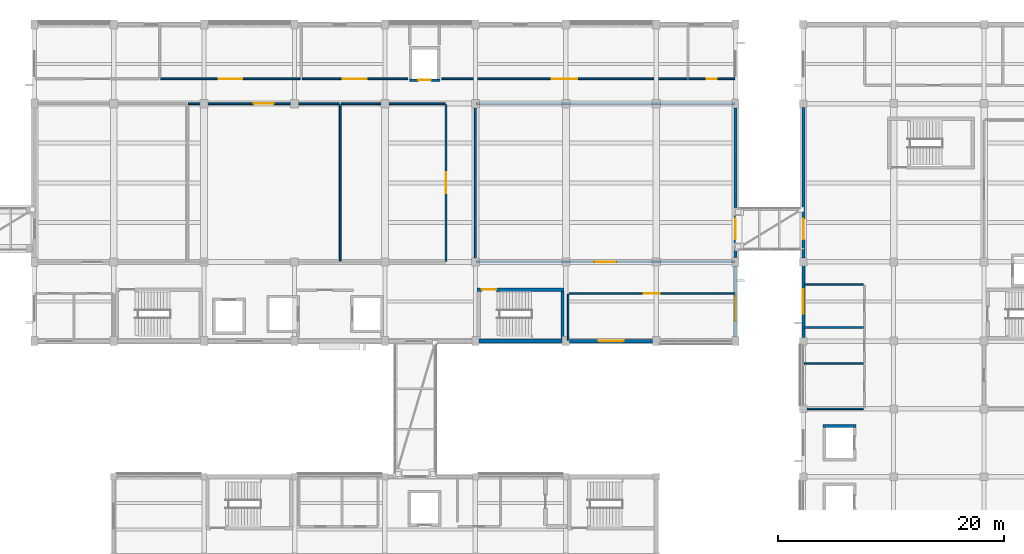
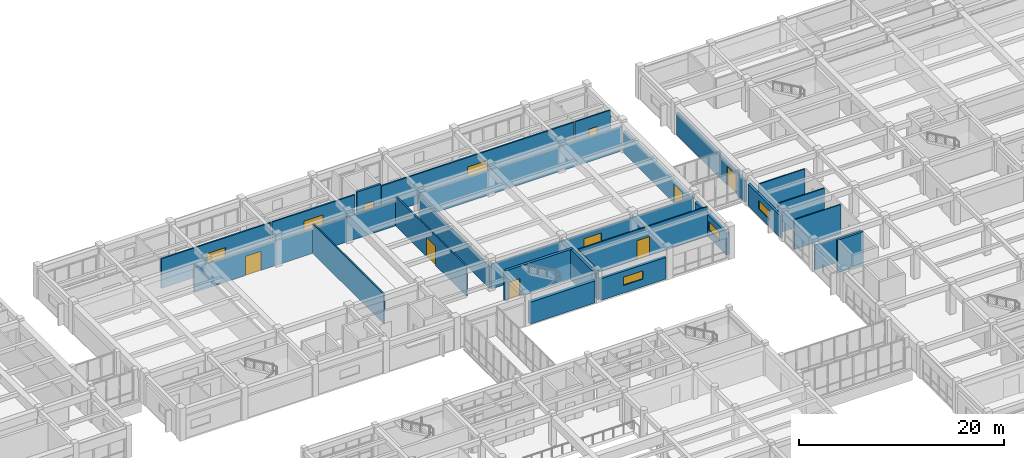
# One storey, part 50 of 66: 27 walls, 12 doors, 3 windows, 15 openings.
"""IFC4 building model written with IfcOpenShell, lengths in metres."""

from ifc_helpers import new_model, si_unit, direction, frame, frame_2d, origin, place, context, subcontext, project, spatial, rectangle, extrude, material, layer, layer_set, type_object, element, fill, save


model = new_model("IFC4")

# Units and contexts
model_context = context("Model", 3, precision=1e-05, world=origin(), true_north=direction((0.0, 1.0)))
body_context = subcontext(model_context, "Body", "Model", "MODEL_VIEW")
ifc_project = project(units=[si_unit("LENGTHUNIT", "METRE"), si_unit("AREAUNIT", "SQUARE_METRE"), si_unit("VOLUMEUNIT", "CUBIC_METRE"), si_unit("PLANEANGLEUNIT", "RADIAN"), si_unit("MASSUNIT", "GRAM", prefix="KILO")], contexts=[model_context])

# Site, building, storey
site_placement = place(None, origin())
site = spatial("IfcSite", under=ifc_project, at=site_placement, CompositionType="ELEMENT")
building_placement = place(site_placement, origin())
building = spatial("IfcBuilding", under=site, at=building_placement, Name="Naurynzar Civic Courthouse", CompositionType="ELEMENT")
storey_placement = place(building_placement, frame((0.0, 0.0, 14.39990234375)))
storey = spatial("IfcBuildingStorey", under=building, at=storey_placement, Name="L04", CompositionType="ELEMENT", Elevation=14.39990234375)

# Wall, opening, door
ifc_material_1 = material(Name="Acoustic Double-Stud Gypsum Partition")
ifc_layer_1 = layer(ifc_material_1, 0.155029296875)
ifc_layer_set_1 = layer_set([ifc_layer_1], Name="WL-ACOUSTIC-155")
wall_type_1 = type_object("IfcWallType", Name="WL-ACOUSTIC-155", PredefinedType="PARTITIONING", material=ifc_layer_set_1)
wall_1_placement = place(storey_placement, frame((75.60009765625, 65.0, 0.0), z_axis=(0.0, 0.0, 1.0), x_axis=(1.0, 0.0, 0.0)))
wall_1 = element("IfcWall", 1, at=wall_1_placement, inside=storey, type_object=wall_type_1, Name="V2 interior partition L04.497", PredefinedType="PARTITIONING", context=body_context, shape_type="SweptSolid", body=[
    extrude(rectangle(XDim=13.35986328125, YDim=0.155029296875, at=frame_2d((6.679931640625, 0.0))), origin(), (0.0, 0.0, 1.0), 2.93017578125),
])
opening_1_placement = place(wall_1_placement, frame((5.804931640625, 0.0, 0.0)))
opening_1 = element("IfcOpeningElement", 2, at=opening_1_placement, cuts=wall_1, Name="Opening D-143", PredefinedType="OPENING", context=body_context, shape_type="SweptSolid", body=[
    extrude(rectangle(XDim=1.75, YDim=2.300048828125, at=frame_2d((0.875, 1.14990234375))), frame((0.0, 0.08740234375, 0.0), z_axis=(0.0, -1.0, 0.0), x_axis=(1.0, 0.0, 0.0)), (0.0, 0.0, 1.0), 0.175048828125),
])
ifc_material_2 = material(Name="Acoustic Oak Timber Grade A", Category="wood")
door_type_1 = type_object("IfcDoorType", Name="DR-SUITE-1750x2300", OperationType="DOUBLE_DOOR_SINGLE_SWING", PredefinedType="DOOR", material=ifc_material_2)
door_1_placement = place(opening_1_placement, origin())
door_1 = element("IfcDoor", 3, at=door_1_placement, inside=storey, type_object=door_type_1, Name="Interior door D-143 (Commercial Courtroom 4B)", OperationType="DOUBLE_DOOR_SINGLE_SWING", OverallHeight=2.300048828125, OverallWidth=1.75, PredefinedType="DOOR", context=body_context, shape_type="SweptSolid", body=[
    extrude(rectangle(XDim=1.75, YDim=2.300048828125, at=frame_2d((0.875, 1.14990234375))), frame((0.0, 0.02490234375, 0.0), z_axis=(0.0, -1.0, 0.0), x_axis=(1.0, 0.0, 0.0)), (0.0, 0.0, 1.0), 0.050048828125),
])
fill(opening_1, door_1)

# Wall
wall_2_placement = place(storey_placement, frame((89.0400390625, 51.080078125, 0.0), z_axis=(0.0, 0.0, 1.0), x_axis=(0.0, 1.0, 0.0)))
element("IfcWall", 4, at=wall_2_placement, inside=storey, type_object=wall_type_1, Name="V2 interior partition L04.538", PredefinedType="PARTITIONING", context=body_context, shape_type="SweptSolid", body=[
    extrude(rectangle(XDim=13.83984375, YDim=0.155029296875, at=frame_2d((6.919921875, 0.0))), origin(), (0.0, 0.0, 1.0), 3.5400390625),
])

# Wall, opening, door
ifc_material_3 = material(Name="Acoustic Double-Stud Gypsum Partition")
ifc_layer_2 = layer(ifc_material_3, 0.169921875)
ifc_layer_set_2 = layer_set([ifc_layer_2], Name="WL-ACOUSTIC-170")
wall_type_2 = type_object("IfcWallType", Name="WL-ACOUSTIC-170", PredefinedType="PARTITIONING", material=ifc_layer_set_2)
wall_3_placement = place(storey_placement, frame((101.080078125, 51.0, 0.0), z_axis=(0.0, 0.0, 1.0), x_axis=(1.0, 0.0, 0.0)))
wall_3 = element("IfcWall", 5, at=wall_3_placement, inside=storey, type_object=wall_type_2, Name="V2 interior partition L04.488", PredefinedType="PARTITIONING", context=body_context, shape_type="SweptSolid", body=[
    extrude(rectangle(XDim=22.83984375, YDim=0.169921875, at=frame_2d((11.419921875, 0.0))), origin(), (0.0, 0.0, 1.0), 2.93017578125),
])
opening_2_placement = place(wall_3_placement, frame((10.445068359375, 0.0, 0.0)))
opening_2 = element("IfcOpeningElement", 6, at=opening_2_placement, cuts=wall_3, Name="Opening D-145", PredefinedType="OPENING", context=body_context, shape_type="SweptSolid", body=[
    extrude(rectangle(XDim=1.949951171875, YDim=2.35009765625, at=frame_2d((0.97509765625, 1.175048828125))), frame((0.0, 0.094970703125, 0.0), z_axis=(0.0, -1.0, 0.0), x_axis=(1.0, 0.0, 0.0)), (0.0, 0.0, 1.0), 0.18994140625),
])
ifc_material_4 = material(Name="Acoustic Oak Timber Grade A", Category="wood")
door_type_2 = type_object("IfcDoorType", Name="DR-SUITE-1950x2350", OperationType="DOUBLE_DOOR_SINGLE_SWING", PredefinedType="DOOR", material=ifc_material_4)
door_2_placement = place(opening_2_placement, origin())
door_2 = element("IfcDoor", 7, at=door_2_placement, inside=storey, type_object=door_type_2, Name="Interior door D-145 (Civil Chamber Courtroom L04-E)", OperationType="DOUBLE_DOOR_SINGLE_SWING", OverallHeight=2.35009765625, OverallWidth=1.949951171875, PredefinedType="DOOR", context=body_context, shape_type="SweptSolid", body=[
    extrude(rectangle(XDim=1.949951171875, YDim=2.35009765625, at=frame_2d((0.97509765625, 1.175048828125))), frame((0.0, 0.02490234375, 0.0), z_axis=(0.0, -1.0, 0.0), x_axis=(1.0, 0.0, 0.0)), (0.0, 0.0, 1.0), 0.050048828125),
])
fill(opening_2, door_2)

# Walls
wall_4_placement = place(storey_placement, frame((101.080078125, 65.0, 0.0), z_axis=(0.0, 0.0, 1.0), x_axis=(1.0, 0.0, 0.0)))
element("IfcWall", 8, at=wall_4_placement, inside=storey, type_object=wall_type_2, Name="V2 interior partition L04.499", PredefinedType="PARTITIONING", context=body_context, shape_type="SweptSolid", body=[
    extrude(rectangle(XDim=22.83984375, YDim=0.169921875, at=frame_2d((11.419921875, 0.0))), origin(), (0.0, 0.0, 1.0), 2.93017578125),
])
wall_5_placement = place(storey_placement, frame((101.0, 51.080078125, 0.0), z_axis=(0.0, 0.0, 1.0), x_axis=(0.0, 1.0, 0.0)))
element("IfcWall", 9, at=wall_5_placement, inside=storey, type_object=wall_type_2, Name="V2 interior partition L04.547", PredefinedType="PARTITIONING", context=body_context, shape_type="SweptSolid", body=[
    extrude(rectangle(XDim=13.83984375, YDim=0.169921875, at=frame_2d((6.919921875, 0.0))), origin(), (0.0, 0.0, 1.0), 2.630126953125),
])

# Wall, opening, door
ifc_material_5 = material(Name="Concrete C40/50", Category="concrete")
ifc_layer_3 = layer(ifc_material_5, 0.300048828125)
ifc_layer_set_3 = layer_set([ifc_layer_3], Name="WL-CORE-300")
wall_type_3 = type_object("IfcWallType", Name="WL-CORE-300", PredefinedType="SHEAR", material=ifc_layer_set_3)
wall_6_placement = place(storey_placement, frame((108.85009765625, 48.550048828125, 0.0), z_axis=(0.0, 0.0, 1.0), x_axis=(-1.0, 0.0, 0.0)))
wall_6 = element("IfcWall", 10, at=wall_6_placement, inside=storey, type_object=wall_type_3, Name="Stair ST-V2B enclosure wall north L04", PredefinedType="SHEAR", context=body_context, shape_type="SweptSolid", body=[
    extrude(rectangle(XDim=7.7001953125, YDim=0.300048828125, at=frame_2d((3.85009765625, 0.0))), origin(), (0.0, 0.0, 1.0), 3.6201171875),
])
opening_3_placement = place(wall_6_placement, frame((6.02490234375, 0.0, 0.0)))
opening_3 = element("IfcOpeningElement", 11, at=opening_3_placement, cuts=wall_6, Name="Opening SD-038", PredefinedType="OPENING", context=body_context, shape_type="SweptSolid", body=[
    extrude(rectangle(XDim=1.25, YDim=2.14990234375, at=frame_2d((0.625, 1.074951171875))), frame((0.0, 0.159912109375, 0.0), z_axis=(0.0, -1.0, 0.0), x_axis=(1.0, 0.0, 0.0)), (0.0, 0.0, 1.0), 0.320068359375),
])
ifc_material_6 = material(Name="Powder-Coated Galvanised Steel", Category="steel")
door_type_3 = type_object("IfcDoorType", Name="DR-STAIR-1250x2150", OperationType="NOTDEFINED", PredefinedType="DOOR", material=ifc_material_6)
door_3_placement = place(opening_3_placement, origin())
door_3 = element("IfcDoor", 12, at=door_3_placement, inside=storey, type_object=door_type_3, Name="Stair ST-V2B fire door L04", OperationType="SINGLE_SWING_RIGHT", OverallHeight=2.14990234375, OverallWidth=1.25, PredefinedType="DOOR", context=body_context, shape_type="SweptSolid", body=[
    extrude(rectangle(XDim=1.25, YDim=2.14990234375, at=frame_2d((0.625, 1.074951171875))), frame((0.0, 0.02490234375, 0.0), z_axis=(0.0, -1.0, 0.0), x_axis=(1.0, 0.0, 0.0)), (0.0, 0.0, 1.0), 0.050048828125),
])
fill(opening_3, door_3)

# Wall
wall_7_placement = place(storey_placement, frame((108.699951171875, 44.195068359375, 0.0), z_axis=(0.0, 0.0, 1.0), x_axis=(0.0, 1.0, 0.0)))
element("IfcWall", 13, at=wall_7_placement, inside=storey, type_object=wall_type_3, Name="Stair ST-V2B enclosure wall east L04", PredefinedType="SHEAR", context=body_context, shape_type="SweptSolid", body=[
    extrude(rectangle(XDim=4.199951171875, YDim=0.300048828125, at=frame_2d((2.10009765625, 0.0))), origin(), (0.0, 0.0, 1.0), 3.6201171875),
])

# Wall, opening, window
ifc_material_7 = material(Name="Precast concrete C40/50", Category="concrete")
ifc_layer_4 = layer(ifc_material_7, 0.260009765625)
ifc_layer_set_4 = layer_set([ifc_layer_4], Name="WL-EXT-260")
wall_type_4 = type_object("IfcWallType", Name="WL-EXT-260", PredefinedType="SOLIDWALL", material=ifc_layer_set_4)
wall_8_placement = place(storey_placement, frame((130.0, 44.33740234375, 0.0), z_axis=(0.0, 0.0, 1.0), x_axis=(0.0, 1.0, 0.0)))
wall_8 = element("IfcWall", 14, at=wall_8_placement, inside=storey, type_object=wall_type_4, Name="V5 exterior wall west L04.7.1", PredefinedType="SOLIDWALL", context=body_context, shape_type="SweptSolid", body=[
    extrude(rectangle(XDim=6.3251953125, YDim=0.260009765625, at=frame_2d((3.16259765625, 0.0))), origin(), (0.0, 0.0, 1.0), 2.610107421875),
])
opening_4_placement = place(wall_8_placement, frame((2.0625, 0.0, 0.89990234375)))
opening_4 = element("IfcOpeningElement", 15, at=opening_4_placement, cuts=wall_8, Name="Opening WN-18", PredefinedType="OPENING", context=body_context, shape_type="SweptSolid", body=[
    extrude(rectangle(XDim=2.199951171875, YDim=1.0, at=frame_2d((1.10009765625, 0.5))), frame((0.0, 0.139892578125, 0.0), z_axis=(0.0, -1.0, 0.0), x_axis=(1.0, 0.0, 0.0)), (0.0, 0.0, 1.0), 0.280029296875),
])
ifc_material_8 = material(Name="Tempered Laminated Low-E Glass", Category="glass")
window_type = type_object("IfcWindowType", Name="WIN-CLER-2200x1000", PartitioningType="DOUBLE_PANEL_VERTICAL", PredefinedType="WINDOW", material=ifc_material_8)
window_1_placement = place(opening_4_placement, origin())
window_1 = element("IfcWindow", 16, at=window_1_placement, inside=storey, type_object=window_type, Name="V5 window 302 L04", OverallHeight=1.0, OverallWidth=2.199951171875, PartitioningType="SINGLE_PANEL", PredefinedType="WINDOW", context=body_context, shape_type="SweptSolid", body=[
    extrude(rectangle(XDim=2.199951171875, YDim=1.0, at=frame_2d((1.10009765625, 0.5))), frame((0.0, 0.030029296875, 0.0), z_axis=(0.0, -1.0, 0.0), x_axis=(1.0, 0.0, 0.0)), (0.0, 0.0, 1.0), 0.06005859375),
])
fill(opening_4, window_1)

# Wall, opening, door
wall_9_placement = place(storey_placement, frame((130.0, 51.33740234375, 0.0), z_axis=(0.0, 0.0, 1.0), x_axis=(0.0, 1.0, 0.0)))
wall_9 = element("IfcWall", 17, at=wall_9_placement, inside=storey, type_object=wall_type_4, Name="V5 exterior wall west L04.8.1", PredefinedType="SOLIDWALL", context=body_context, shape_type="SweptSolid", body=[
    extrude(rectangle(XDim=13.3251953125, YDim=0.260009765625, at=frame_2d((6.66259765625, 0.0))), origin(), (0.0, 0.0, 1.0), 2.610107421875),
])
opening_5_placement = place(wall_9_placement, frame((1.66259765625, 0.0, 0.0)))
opening_5 = element("IfcOpeningElement", 18, at=opening_5_placement, cuts=wall_9, Name="Opening BD-39", PredefinedType="OPENING", context=body_context, shape_type="SweptSolid", body=[
    extrude(rectangle(XDim=1.800048828125, YDim=2.25, at=frame_2d((0.89990234375, 1.125))), frame((0.0, 0.139892578125, 0.0), z_axis=(0.0, -1.0, 0.0), x_axis=(1.0, 0.0, 0.0)), (0.0, 0.0, 1.0), 0.280029296875),
])
ifc_material_9 = material(Name="Aluminium 6063-T6", Category="aluminium")
door_type_4 = type_object("IfcDoorType", Name="DR-BRG-1800x2250", OperationType="DOUBLE_DOOR_SINGLE_SWING", PredefinedType="DOOR", material=ifc_material_9)
door_4_placement = place(opening_5_placement, origin())
door_4 = element("IfcDoor", 19, at=door_4_placement, inside=storey, type_object=door_type_4, Name="Seismic bridge fire door BD-39", OperationType="DOUBLE_DOOR_SINGLE_SWING", OverallHeight=2.25, OverallWidth=1.800048828125, PredefinedType="DOOR", context=body_context, shape_type="SweptSolid", body=[
    extrude(rectangle(XDim=1.800048828125, YDim=2.25, at=frame_2d((0.89990234375, 1.125))), frame((0.0, 0.02490234375, 0.0), z_axis=(0.0, -1.0, 0.0), x_axis=(1.0, 0.0, 0.0)), (0.0, 0.0, 1.0), 0.050048828125),
])
fill(opening_5, door_4)

ifc_material_10 = material(Name="Precast concrete C40/50", Category="concrete")
ifc_layer_5 = layer(ifc_material_10, 0.300048828125)
ifc_layer_set_5 = layer_set([ifc_layer_5], Name="WL-EXT-300")
wall_type_5 = type_object("IfcWallType", Name="WL-EXT-300", PredefinedType="SOLIDWALL", material=ifc_layer_set_5)
wall_10_placement = place(storey_placement, frame((124.0, 64.60009765625, 0.0), z_axis=(0.0, 0.0, 1.0), x_axis=(0.0, -1.0, 0.0)))
wall_10 = element("IfcWall", 20, at=wall_10_placement, inside=storey, type_object=wall_type_5, Name="V2 exterior wall east L04.2.1", PredefinedType="SOLIDWALL", context=body_context, shape_type="SweptSolid", body=[
    extrude(rectangle(XDim=13.2001953125, YDim=0.300048828125, at=frame_2d((6.60009765625, 0.0))), origin(), (0.0, 0.0, 1.0), 2.610107421875),
])
opening_6_placement = place(wall_10_placement, frame((9.800048828125, 0.0, 0.0)))
opening_6 = element("IfcOpeningElement", 21, at=opening_6_placement, cuts=wall_10, Name="Opening BD-15", PredefinedType="OPENING", context=body_context, shape_type="SweptSolid", body=[
    extrude(rectangle(XDim=1.800048828125, YDim=2.25, at=frame_2d((0.89990234375, 1.125))), frame((0.0, 0.159912109375, 0.0), z_axis=(0.0, -1.0, 0.0), x_axis=(1.0, 0.0, 0.0)), (0.0, 0.0, 1.0), 0.320068359375),
])
door_5_placement = place(opening_6_placement, origin())
door_5 = element("IfcDoor", 22, at=door_5_placement, inside=storey, type_object=door_type_4, Name="Seismic bridge fire door BD-15", OperationType="DOUBLE_DOOR_SINGLE_SWING", OverallHeight=2.25, OverallWidth=1.800048828125, PredefinedType="DOOR", context=body_context, shape_type="SweptSolid", body=[
    extrude(rectangle(XDim=1.800048828125, YDim=2.25, at=frame_2d((0.89990234375, 1.125))), frame((0.0, 0.02490234375, 0.0), z_axis=(0.0, -1.0, 0.0), x_axis=(1.0, 0.0, 0.0)), (0.0, 0.0, 1.0), 0.050048828125),
])
fill(opening_6, door_5)

# Wall, opening, window
wall_11_placement = place(storey_placement, frame((124.0, 50.60009765625, 0.0), z_axis=(0.0, 0.0, 1.0), x_axis=(0.0, -1.0, 0.0)))
wall_11 = element("IfcWall", 23, at=wall_11_placement, inside=storey, type_object=wall_type_5, Name="V2 exterior wall east L04.3.1", PredefinedType="SOLIDWALL", context=body_context, shape_type="SweptSolid", body=[
    extrude(rectangle(XDim=6.2001953125, YDim=0.300048828125, at=frame_2d((3.10009765625, 0.0))), origin(), (0.0, 0.0, 1.0), 2.610107421875),
])
opening_7_placement = place(wall_11_placement, frame((2.6201171875, 0.0, 0.89990234375)))
opening_7 = element("IfcOpeningElement", 24, at=opening_7_placement, cuts=wall_11, Name="Opening WN-18", PredefinedType="OPENING", context=body_context, shape_type="SweptSolid", body=[
    extrude(rectangle(XDim=2.199951171875, YDim=1.0, at=frame_2d((1.10009765625, 0.5))), frame((0.0, 0.159912109375, 0.0), z_axis=(0.0, -1.0, 0.0), x_axis=(1.0, 0.0, 0.0)), (0.0, 0.0, 1.0), 0.320068359375),
])
window_2_placement = place(opening_7_placement, origin())
window_2 = element("IfcWindow", 25, at=window_2_placement, inside=storey, type_object=window_type, Name="V2 window 78 L04", OverallHeight=1.0, OverallWidth=2.199951171875, PartitioningType="SINGLE_PANEL", PredefinedType="WINDOW", context=body_context, shape_type="SweptSolid", body=[
    extrude(rectangle(XDim=2.199951171875, YDim=1.0, at=frame_2d((1.10009765625, 0.5))), frame((0.0, 0.030029296875, 0.0), z_axis=(0.0, -1.0, 0.0), x_axis=(1.0, 0.0, 0.0)), (0.0, 0.0, 1.0), 0.06005859375),
])
fill(opening_7, window_2)

wall_12_placement = place(storey_placement, frame((116.675048828125, 44.0, 0.0), z_axis=(0.0, 0.0, 1.0), x_axis=(-1.0, 0.0, 0.0)))
wall_12 = element("IfcWall", 26, at=wall_12_placement, inside=storey, type_object=wall_type_5, Name="V2 exterior wall south L04.2.1", PredefinedType="SOLIDWALL", context=body_context, shape_type="SweptSolid", body=[
    extrude(rectangle(XDim=7.35009765625, YDim=0.300048828125, at=frame_2d((3.675048828125, 0.0))), origin(), (0.0, 0.0, 1.0), 2.610107421875),
])
opening_8_placement = place(wall_12_placement, frame((2.574951171875, 0.0, 0.89990234375)))
opening_8 = element("IfcOpeningElement", 27, at=opening_8_placement, cuts=wall_12, Name="Opening WN-18", PredefinedType="OPENING", context=body_context, shape_type="SweptSolid", body=[
    extrude(rectangle(XDim=2.199951171875, YDim=1.0, at=frame_2d((1.10009765625, 0.5))), frame((0.0, 0.159912109375, 0.0), z_axis=(0.0, -1.0, 0.0), x_axis=(1.0, 0.0, 0.0)), (0.0, 0.0, 1.0), 0.320068359375),
])
window_3_placement = place(opening_8_placement, origin())
window_3 = element("IfcWindow", 28, at=window_3_placement, inside=storey, type_object=window_type, Name="V2 window 79 L04", OverallHeight=1.0, OverallWidth=2.199951171875, PartitioningType="SINGLE_PANEL", PredefinedType="WINDOW", context=body_context, shape_type="SweptSolid", body=[
    extrude(rectangle(XDim=2.199951171875, YDim=1.0, at=frame_2d((1.10009765625, 0.5))), frame((0.0, 0.030029296875, 0.0), z_axis=(0.0, -1.0, 0.0), x_axis=(1.0, 0.0, 0.0)), (0.0, 0.0, 1.0), 0.06005859375),
])
fill(opening_8, window_3)

# Wall, opening, door
ifc_material_11 = material(Name="Insulated Metal-Stud Gypsum Partition")
ifc_layer_6 = layer(ifc_material_11, 0.159912109375)
ifc_layer_set_6 = layer_set([ifc_layer_6], Name="WL-PART-CHAMB-160")
wall_type_6 = type_object("IfcWallType", Name="WL-PART-CHAMB-160", PredefinedType="PARTITIONING", material=ifc_layer_set_6)
wall_13_placement = place(storey_placement, frame((73.14990234375, 67.199951171875, 0.0), z_axis=(0.0, 0.0, 1.0), x_axis=(1.0, 0.0, 0.0)))
wall_13 = element("IfcWall", 29, at=wall_13_placement, inside=storey, type_object=wall_type_6, Name="V2 interior partition L04.508", PredefinedType="PARTITIONING", context=body_context, shape_type="SweptSolid", body=[
    extrude(rectangle(XDim=12.35009765625, YDim=0.159912109375, at=frame_2d((6.175048828125, 0.0))), origin(), (0.0, 0.0, 1.0), 3.5400390625),
])
opening_9_placement = place(wall_13_placement, frame((5.125, 0.0, 0.0)))
opening_9 = element("IfcOpeningElement", 30, at=opening_9_placement, cuts=wall_13, Name="Opening D-147", PredefinedType="OPENING", context=body_context, shape_type="SweptSolid", body=[
    extrude(rectangle(XDim=2.10009765625, YDim=2.35009765625, at=frame_2d((1.050048828125, 1.175048828125))), frame((0.0, 0.08984375, 0.0), z_axis=(0.0, -1.0, 0.0), x_axis=(1.0, 0.0, 0.0)), (0.0, 0.0, 1.0), 0.179931640625),
])
ifc_material_12 = material(Name="Acoustic Oak Timber Grade A", Category="wood")
door_type_5 = type_object("IfcDoorType", Name="DR-SUITE-2100x2350", OperationType="DOUBLE_DOOR_SINGLE_SWING", PredefinedType="DOOR", material=ifc_material_12)
door_6_placement = place(opening_9_placement, origin())
door_6 = element("IfcDoor", 31, at=door_6_placement, inside=storey, type_object=door_type_5, Name="Interior door D-147 (Judges' Chambers L04-2)", OperationType="DOUBLE_DOOR_SINGLE_SWING", OverallHeight=2.35009765625, OverallWidth=2.10009765625, PredefinedType="DOOR", context=body_context, shape_type="SweptSolid", body=[
    extrude(rectangle(XDim=2.10009765625, YDim=2.35009765625, at=frame_2d((1.050048828125, 1.175048828125))), frame((0.0, 0.02490234375, 0.0), z_axis=(0.0, -1.0, 0.0), x_axis=(1.0, 0.0, 0.0)), (0.0, 0.0, 1.0), 0.050048828125),
])
fill(opening_9, door_6)

wall_14_placement = place(storey_placement, frame((85.659912109375, 67.199951171875, 0.0), z_axis=(0.0, 0.0, 1.0), x_axis=(1.0, 0.0, 0.0)))
wall_14 = element("IfcWall", 32, at=wall_14_placement, inside=storey, type_object=wall_type_6, Name="V2 interior partition L04.509", PredefinedType="PARTITIONING", context=body_context, shape_type="SweptSolid", body=[
    extrude(rectangle(XDim=9.340087890625, YDim=0.159912109375, at=frame_2d((4.669921875, 0.0))), origin(), (0.0, 0.0, 1.0), 3.5400390625),
])
opening_10_placement = place(wall_14_placement, frame((3.594970703125, 0.0, 0.0)))
opening_10 = element("IfcOpeningElement", 33, at=opening_10_placement, cuts=wall_14, Name="Opening D-148", PredefinedType="OPENING", context=body_context, shape_type="SweptSolid", body=[
    extrude(rectangle(XDim=2.14990234375, YDim=2.39990234375, at=frame_2d((1.074951171875, 1.199951171875))), frame((0.0, 0.08984375, 0.0), z_axis=(0.0, -1.0, 0.0), x_axis=(1.0, 0.0, 0.0)), (0.0, 0.0, 1.0), 0.179931640625),
])
ifc_material_13 = material(Name="Acoustic Oak Timber Grade A", Category="wood")
door_type_6 = type_object("IfcDoorType", Name="DR-SUITE-2150x2400", OperationType="DOUBLE_DOOR_SINGLE_SWING", PredefinedType="DOOR", material=ifc_material_13)
door_7_placement = place(opening_10_placement, origin())
door_7 = element("IfcDoor", 34, at=door_7_placement, inside=storey, type_object=door_type_6, Name="Interior door D-148 (Judges' Chambers L04-3)", OperationType="DOUBLE_DOOR_SINGLE_SWING", OverallHeight=2.39990234375, OverallWidth=2.14990234375, PredefinedType="DOOR", context=body_context, shape_type="SweptSolid", body=[
    extrude(rectangle(XDim=2.14990234375, YDim=2.39990234375, at=frame_2d((1.074951171875, 1.199951171875))), frame((0.0, 0.02490234375, 0.0), z_axis=(0.0, -1.0, 0.0), x_axis=(1.0, 0.0, 0.0)), (0.0, 0.0, 1.0), 0.050048828125),
])
fill(opening_10, door_7)

wall_15_placement = place(storey_placement, frame((98.0, 67.199951171875, 0.0), z_axis=(0.0, 0.0, 1.0), x_axis=(1.0, 0.0, 0.0)))
wall_15 = element("IfcWall", 35, at=wall_15_placement, inside=storey, type_object=wall_type_6, Name="V2 interior partition L04.510", PredefinedType="PARTITIONING", context=body_context, shape_type="SweptSolid", body=[
    extrude(rectangle(XDim=21.719970703125, YDim=0.159912109375, at=frame_2d((10.85986328125, 0.0))), origin(), (0.0, 0.0, 1.0), 3.5400390625),
])
opening_11_placement = place(wall_15_placement, frame((9.735107421875, 0.0, 0.0)))
opening_11 = element("IfcOpeningElement", 36, at=opening_11_placement, cuts=wall_15, Name="Opening D-149", PredefinedType="OPENING", context=body_context, shape_type="SweptSolid", body=[
    extrude(rectangle(XDim=2.25, YDim=2.39990234375, at=frame_2d((1.125, 1.199951171875))), frame((0.0, 0.08984375, 0.0), z_axis=(0.0, -1.0, 0.0), x_axis=(1.0, 0.0, 0.0)), (0.0, 0.0, 1.0), 0.179931640625),
])
ifc_material_14 = material(Name="Acoustic Oak Timber Grade A", Category="wood")
door_type_7 = type_object("IfcDoorType", Name="DR-SUITE-2250x2400", OperationType="DOUBLE_DOOR_SINGLE_SWING", PredefinedType="DOOR", material=ifc_material_14)
door_8_placement = place(opening_11_placement, origin())
door_8 = element("IfcDoor", 37, at=door_8_placement, inside=storey, type_object=door_type_7, Name="Interior door D-149 (Senior Judges' Chambers L04-E)", OperationType="DOUBLE_DOOR_SINGLE_SWING", OverallHeight=2.39990234375, OverallWidth=2.25, PredefinedType="DOOR", context=body_context, shape_type="SweptSolid", body=[
    extrude(rectangle(XDim=2.25, YDim=2.39990234375, at=frame_2d((1.125, 1.199951171875))), frame((0.0, 0.02490234375, 0.0), z_axis=(0.0, -1.0, 0.0), x_axis=(1.0, 0.0, 0.0)), (0.0, 0.0, 1.0), 0.050048828125),
])
fill(opening_11, door_8)

# Wall
ifc_material_15 = material(Name="Fire-Rated Corridor Gypsum Partition")
ifc_layer_7 = layer(ifc_material_15, 0.14990234375)
ifc_layer_set_7 = layer_set([ifc_layer_7], Name="WL-PART-CORR-150")
wall_type_7 = type_object("IfcWallType", Name="WL-PART-CORR-150", PredefinedType="PARTITIONING", material=ifc_layer_set_7)
wall_16_placement = place(storey_placement, frame((89.1201171875, 65.0, 0.0), z_axis=(0.0, 0.0, 1.0), x_axis=(1.0, 0.0, 0.0)))
element("IfcWall", 38, at=wall_16_placement, inside=storey, type_object=wall_type_7, Name="V2 interior partition L04.498", PredefinedType="PARTITIONING", context=body_context, shape_type="SweptSolid", body=[
    extrude(rectangle(XDim=9.199951171875, YDim=0.14990234375, at=frame_2d((4.60009765625, 0.0))), origin(), (0.0, 0.0, 1.0), 2.93017578125),
])

# Wall, opening, door
wall_17_placement = place(storey_placement, frame((98.39990234375, 51.080078125, 0.0), z_axis=(0.0, 0.0, 1.0), x_axis=(0.0, 1.0, 0.0)))
wall_17 = element("IfcWall", 39, at=wall_17_placement, inside=storey, type_object=wall_type_7, Name="V2 interior partition L04.543", PredefinedType="PARTITIONING", context=body_context, shape_type="SweptSolid", body=[
    extrude(rectangle(XDim=13.83984375, YDim=0.14990234375, at=frame_2d((6.919921875, 0.0))), origin(), (0.0, 0.0, 1.0), 3.5400390625),
])
opening_12_placement = place(wall_17_placement, frame((5.9951171875, 0.0, 0.0)))
opening_12 = element("IfcOpeningElement", 40, at=opening_12_placement, cuts=wall_17, Name="Opening D-144", PredefinedType="OPENING", context=body_context, shape_type="SweptSolid", body=[
    extrude(rectangle(XDim=1.85009765625, YDim=2.300048828125, at=frame_2d((0.925048828125, 1.14990234375))), frame((0.0, 0.0849609375, 0.0), z_axis=(0.0, -1.0, 0.0), x_axis=(1.0, 0.0, 0.0)), (0.0, 0.0, 1.0), 0.169921875),
])
ifc_material_16 = material(Name="Acoustic Oak Timber Grade A", Category="wood")
door_type_8 = type_object("IfcDoorType", Name="DR-SUITE-1850x2300", OperationType="DOUBLE_DOOR_SINGLE_SWING", PredefinedType="DOOR", material=ifc_material_16)
door_9_placement = place(opening_12_placement, origin())
door_9 = element("IfcDoor", 41, at=door_9_placement, inside=storey, type_object=door_type_8, Name="Interior door D-144 (Mediation Hearing Room 4C)", OperationType="DOUBLE_DOOR_SINGLE_SWING", OverallHeight=2.300048828125, OverallWidth=1.85009765625, PredefinedType="DOOR", context=body_context, shape_type="SweptSolid", body=[
    extrude(rectangle(XDim=1.85009765625, YDim=2.300048828125, at=frame_2d((0.925048828125, 1.14990234375))), frame((0.0, 0.02490234375, 0.0), z_axis=(0.0, -1.0, 0.0), x_axis=(1.0, 0.0, 0.0)), (0.0, 0.0, 1.0), 0.050048828125),
])
fill(opening_12, door_9)

ifc_material_17 = material(Name="Metal-Stud Gypsum Partition")
ifc_layer_8 = layer(ifc_material_17, 0.125)
ifc_layer_set_8 = layer_set([ifc_layer_8], Name="WL-PART-STD-125")
wall_type_8 = type_object("IfcWallType", Name="WL-PART-STD-125", PredefinedType="PARTITIONING", material=ifc_layer_set_8)
wall_18_placement = place(storey_placement, frame((109.280029296875, 48.199951171875, 0.0), z_axis=(0.0, 0.0, 1.0), x_axis=(1.0, 0.0, 0.0)))
wall_18 = element("IfcWall", 42, at=wall_18_placement, inside=storey, type_object=wall_type_8, Name="V2 interior partition L04.478", PredefinedType="PARTITIONING", context=body_context, shape_type="SweptSolid", body=[
    extrude(rectangle(XDim=14.639892578125, YDim=0.125, at=frame_2d((7.31982421875, 0.0))), origin(), (0.0, 0.0, 1.0), 3.5400390625),
])
opening_13_placement = place(wall_18_placement, frame((6.594970703125, 0.0, 0.0)))
opening_13 = element("IfcOpeningElement", 43, at=opening_13_placement, cuts=wall_18, Name="Opening D-141", PredefinedType="OPENING", context=body_context, shape_type="SweptSolid", body=[
    extrude(rectangle(XDim=1.449951171875, YDim=2.25, at=frame_2d((0.72509765625, 1.125))), frame((0.0, 0.072509765625, 0.0), z_axis=(0.0, -1.0, 0.0), x_axis=(1.0, 0.0, 0.0)), (0.0, 0.0, 1.0), 0.14501953125),
])
ifc_material_18 = material(Name="Acoustic Oak Timber Grade A", Category="wood")
door_type_9 = type_object("IfcDoorType", Name="DR-SUITE-1450x2250", OperationType="NOTDEFINED", PredefinedType="DOOR", material=ifc_material_18)
door_10_placement = place(opening_13_placement, origin())
door_10 = element("IfcDoor", 44, at=door_10_placement, inside=storey, type_object=door_type_9, Name="Interior door D-141 (Witness Waiting Room V2)", OperationType="SINGLE_SWING_LEFT", OverallHeight=2.25, OverallWidth=1.449951171875, PredefinedType="DOOR", context=body_context, shape_type="SweptSolid", body=[
    extrude(rectangle(XDim=1.449951171875, YDim=2.25, at=frame_2d((0.72509765625, 1.125))), frame((0.0, 0.02490234375, 0.0), z_axis=(0.0, -1.0, 0.0), x_axis=(1.0, 0.0, 0.0)), (0.0, 0.0, 1.0), 0.050048828125),
])
fill(opening_13, door_10)

# Walls
wall_19_placement = place(storey_placement, frame((109.199951171875, 44.080078125, 0.0), z_axis=(0.0, 0.0, 1.0), x_axis=(0.0, 1.0, 0.0)))
element("IfcWall", 45, at=wall_19_placement, inside=storey, type_object=wall_type_8, Name="V2 interior partition L04.550", PredefinedType="PARTITIONING", context=body_context, shape_type="SweptSolid", body=[
    extrude(rectangle(XDim=4.0400390625, YDim=0.125, at=frame_2d((2.02001953125, 0.0))), origin(), (0.0, 0.0, 1.0), 3.5400390625),
])
ifc_material_19 = material(Name="Moisture-Resistant Plumbing Partition")
ifc_layer_9 = layer(ifc_material_19, 0.139892578125)
ifc_layer_set_9 = layer_set([ifc_layer_9], Name="WL-PART-WC-140")
wall_type_9 = type_object("IfcWallType", Name="WL-PART-WC-140", PredefinedType="PLUMBINGWALL", material=ifc_layer_set_9)
wall_20_placement = place(storey_placement, frame((130.080078125, 38.0, 0.0), z_axis=(0.0, 0.0, 1.0), x_axis=(1.0, 0.0, 0.0)))
element("IfcWall", 46, at=wall_20_placement, inside=storey, type_object=wall_type_9, Name="V5 interior partition L04.468", PredefinedType="PLUMBINGWALL", context=body_context, shape_type="SweptSolid", body=[
    extrude(rectangle(XDim=5.239990234375, YDim=0.139892578125, at=frame_2d((2.6201171875, 0.0))), origin(), (0.0, 0.0, 1.0), 2.93017578125),
])
for number, where, z_axis, x_axis, name in (
    (47, (130.080078125, 42.0, 0.0), (0.0, 0.0, 1.0), (1.0, 0.0, 0.0), "V5 interior partition L04.470"),
    (48, (130.080078125, 45.199951171875, 0.0), (0.0, 0.0, 1.0), (1.0, 0.0, 0.0), "V5 interior partition L04.471"),
    (49, (130.080078125, 49.0, 0.0), (0.0, 0.0, 1.0), (1.0, 0.0, 0.0), "V5 interior partition L04.479"),
):
    element("IfcWall", number, at=place(storey_placement, frame(where, z_axis=z_axis, x_axis=x_axis)), inside=storey, type_object=wall_type_9, Name=name, PredefinedType="PLUMBINGWALL", context=body_context, shape_type="SweptSolid", body=[
        extrude(rectangle(XDim=5.239990234375, YDim=0.139892578125, at=frame_2d((2.6201171875, 0.0))), origin(), (0.0, 0.0, 1.0), 3.5400390625),
    ])

# Wall, opening, door
wall_21_placement = place(storey_placement, frame((119.8798828125, 67.199951171875, 0.0), z_axis=(0.0, 0.0, 1.0), x_axis=(1.0, 0.0, 0.0)))
wall_21 = element("IfcWall", 50, at=wall_21_placement, inside=storey, type_object=wall_type_9, Name="V2 interior partition L04.511", PredefinedType="PLUMBINGWALL", context=body_context, shape_type="SweptSolid", body=[
    extrude(rectangle(XDim=4.0400390625, YDim=0.139892578125, at=frame_2d((2.02001953125, 0.0))), origin(), (0.0, 0.0, 1.0), 3.5400390625),
])
opening_14_placement = place(wall_21_placement, frame((1.56005859375, 0.0, 0.0)))
opening_14 = element("IfcOpeningElement", 51, at=opening_14_placement, cuts=wall_21, Name="Opening D-150", PredefinedType="OPENING", context=body_context, shape_type="SweptSolid", body=[
    extrude(rectangle(XDim=0.919921875, YDim=2.10009765625, at=frame_2d((0.4599609375, 1.050048828125))), frame((0.0, 0.079833984375, 0.0), z_axis=(0.0, -1.0, 0.0), x_axis=(1.0, 0.0, 0.0)), (0.0, 0.0, 1.0), 0.159912109375),
])
ifc_material_20 = material(Name="Acoustic Oak Timber Grade A", Category="wood")
door_type_10 = type_object("IfcDoorType", Name="DR-WC-STD-920x2100", OperationType="NOTDEFINED", PredefinedType="DOOR", material=ifc_material_20)
door_11_placement = place(opening_14_placement, origin())
door_11 = element("IfcDoor", 52, at=door_11_placement, inside=storey, type_object=door_type_10, Name="Interior door D-150 (Judicial Staff WC V2)", OperationType="SINGLE_SWING_RIGHT", OverallHeight=2.10009765625, OverallWidth=0.919921875, PredefinedType="DOOR", context=body_context, shape_type="SweptSolid", body=[
    extrude(rectangle(XDim=0.919921875, YDim=2.10009765625, at=frame_2d((0.4599609375, 1.050048828125))), frame((0.0, 0.02490234375, 0.0), z_axis=(0.0, -1.0, 0.0), x_axis=(1.0, 0.0, 0.0)), (0.0, 0.0, 1.0), 0.050048828125),
])
fill(opening_14, door_11)

# Wall
ifc_material_21 = material(Name="Concrete C40/50", Category="concrete")
ifc_layer_10 = layer(ifc_material_21, 0.3798828125)
ifc_layer_set_10 = layer_set([ifc_layer_10], Name="WL-RET-380")
wall_type_10 = type_object("IfcWallType", Name="WL-RET-380", PredefinedType="STANDARD", material=ifc_layer_set_10)
wall_22_placement = place(storey_placement, frame((108.675048828125, 44.0, 0.0), z_axis=(0.0, 0.0, 1.0), x_axis=(-1.0, 0.0, 0.0)))
element("IfcWall", 53, at=wall_22_placement, inside=storey, type_object=wall_type_10, Name="V2 exterior wall south L04.3.1", PredefinedType="STANDARD", context=body_context, shape_type="SweptSolid", body=[
    extrude(rectangle(XDim=7.35009765625, YDim=0.3798828125, at=frame_2d((3.675048828125, 0.0))), origin(), (0.0, 0.0, 1.0), 2.610107421875),
])

# Wall, opening, door
ifc_material_22 = material(Name="Concrete C40/50", Category="concrete")
ifc_layer_11 = layer(ifc_material_22, 0.25)
ifc_layer_set_11 = layer_set([ifc_layer_11], Name="WL-SHAFT-250")
wall_type_11 = type_object("IfcWallType", Name="WL-SHAFT-250", PredefinedType="SHEAR", material=ifc_layer_set_11)
wall_23_placement = place(storey_placement, frame((95.14990234375, 67.074951171875, 0.0), z_axis=(0.0, 0.0, 1.0), x_axis=(1.0, 0.0, 0.0)))
wall_23 = element("IfcWall", 54, at=wall_23_placement, inside=storey, type_object=wall_type_11, Name="Lift LJ-02 shaft wall south L04", PredefinedType="SHEAR", context=body_context, shape_type="SweptSolid", body=[
    extrude(rectangle(XDim=2.7001953125, YDim=0.25, at=frame_2d((1.35009765625, 0.0))), origin(), (0.0, 0.0, 1.0), 3.900146484375),
])
opening_15_placement = place(wall_23_placement, frame((0.800048828125, 0.0, 0.0)))
opening_15 = element("IfcOpeningElement", 55, at=opening_15_placement, cuts=wall_23, Name="Opening LD-054", PredefinedType="OPENING", context=body_context, shape_type="SweptSolid", body=[
    extrude(rectangle(XDim=1.10009765625, YDim=2.14990234375, at=frame_2d((0.550048828125, 1.074951171875))), frame((0.0, 0.135009765625, 0.0), z_axis=(0.0, -1.0, 0.0), x_axis=(1.0, 0.0, 0.0)), (0.0, 0.0, 1.0), 0.27001953125),
])
ifc_material_23 = material(Name="Brushed Stainless Steel 304", Category="steel")
door_type_11 = type_object("IfcDoorType", Name="DR-LIFT-SLIDE-1100x2150", OperationType="DOUBLE_DOOR_SLIDING", PredefinedType="DOOR", material=ifc_material_23)
door_12_placement = place(opening_15_placement, origin())
door_12 = element("IfcDoor", 56, at=door_12_placement, inside=storey, type_object=door_type_11, Name="Lift LJ-02 sliding landing door L04", OperationType="DOUBLE_DOOR_SLIDING", OverallHeight=2.14990234375, OverallWidth=1.10009765625, PredefinedType="DOOR", context=body_context, shape_type="SweptSolid", body=[
    extrude(rectangle(XDim=1.10009765625, YDim=2.14990234375, at=frame_2d((0.550048828125, 1.074951171875))), frame((0.0, 0.02490234375, 0.0), z_axis=(0.0, -1.0, 0.0), x_axis=(1.0, 0.0, 0.0)), (0.0, 0.0, 1.0), 0.050048828125),
])
fill(opening_15, door_12)

# Wall
wall_24_placement = place(storey_placement, frame((134.64990234375, 36.47509765625, 0.0), z_axis=(0.0, 0.0, 1.0), x_axis=(-1.0, 0.0, 0.0)))
element("IfcWall", 57, at=wall_24_placement, inside=storey, type_object=wall_type_11, Name="Lift LP-05 shaft wall north L04", PredefinedType="SHEAR", context=body_context, shape_type="SweptSolid", body=[
    extrude(rectangle(XDim=2.89990234375, YDim=0.25, at=frame_2d((1.449951171875, 0.0))), origin(), (0.0, 0.0, 1.0), 3.900146484375),
])

save(model, "model.ifc")
